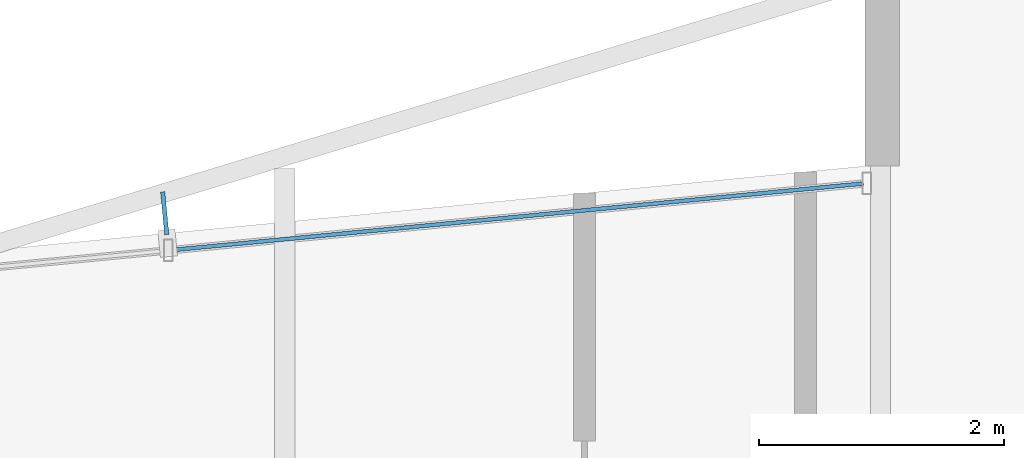
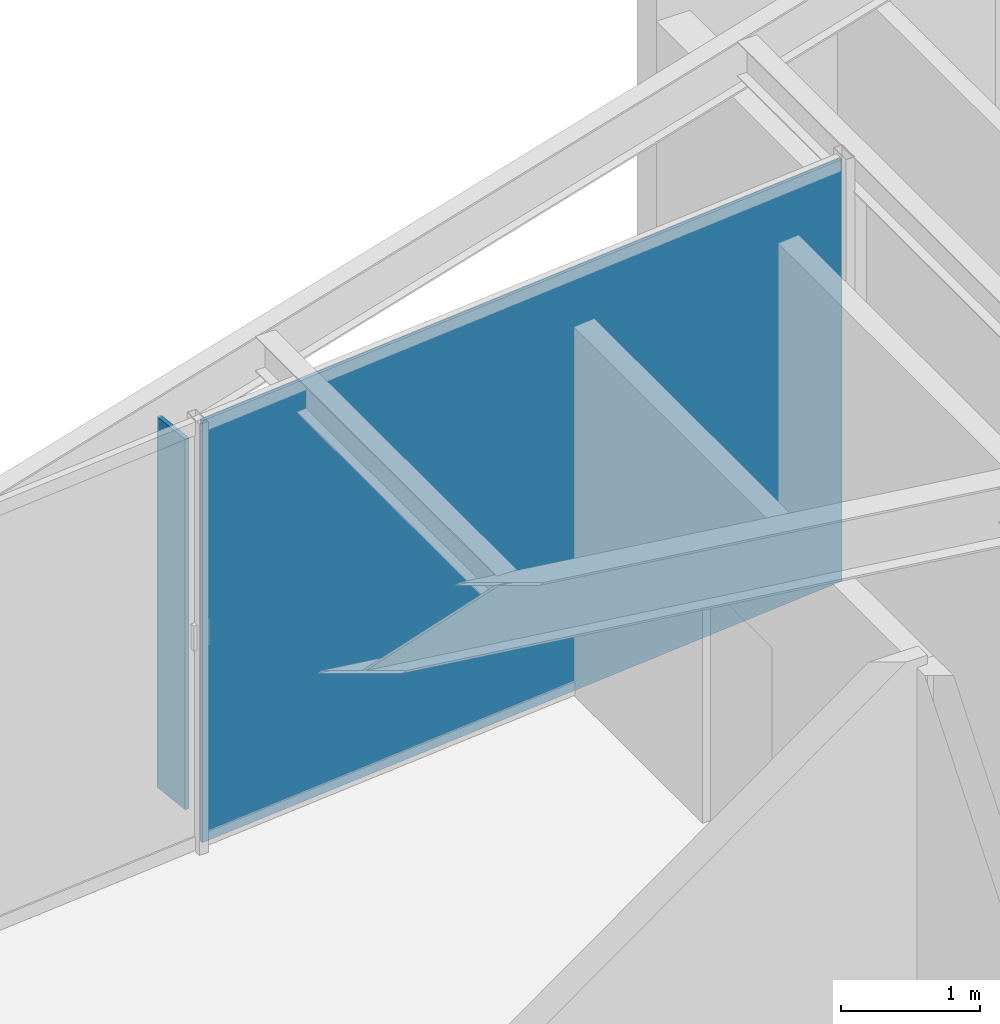
# One storey, part 15 of 21: 2 plates, 1 element without a shape of its own.
"""IFC4 building model written with IfcOpenShell, lengths in metres."""

from ifc_helpers import new_model, si_unit, direction, frame, origin, origin_2d, place, context, subcontext, project, spatial, rectangle, extrude, material, layer, layer_set, type_object, element, aggregate, save


model = new_model("IFC4")

# Units and contexts
model_context = context("Model", 3, precision=1e-05, world=origin(), true_north=direction((0.0, 1.0)))
body_context = subcontext(model_context, "Body", "Model", "MODEL_VIEW")
ifc_project = project(units=[si_unit("LENGTHUNIT", "METRE"), si_unit("AREAUNIT", "SQUARE_METRE"), si_unit("VOLUMEUNIT", "CUBIC_METRE"), si_unit("PLANEANGLEUNIT", "RADIAN"), si_unit("MASSUNIT", "GRAM", prefix="KILO")], contexts=[model_context])

# Site, building, storey
site_placement = place(None, origin())
site = spatial("IfcSite", under=ifc_project, at=site_placement, CompositionType="ELEMENT")
building_placement = place(site_placement, origin())
building = spatial("IfcBuilding", under=site, at=building_placement, Name="Veymaron Broadcast Tower", CompositionType="ELEMENT")
storey_placement = place(building_placement, frame((0.0, 0.0, 240.449951171875)))
storey = spatial("IfcBuildingStorey", under=building, at=storey_placement, Name="L56", CompositionType="ELEMENT", Elevation=240.449951171875)

# Curtain wall, plate
ifc_material_1 = material(Name="Anodised aluminium AA 6063-T6 and laminated low-E dark glass", Category="aluminium")
ifc_layer_1 = layer(ifc_material_1, 0.179931640625)
ifc_layer_set_1 = layer_set([ifc_layer_1], Name="Anodised aluminium AA 6063-T6 and laminated low-E dark glass")
curtain_wall_type = type_object("IfcCurtainWallType", Name="CW-SYS-05", PredefinedType="NOTDEFINED", material=ifc_layer_set_1)
curtain_wall_placement = place(storey_placement, origin())
curtain_wall = element("IfcCurtainWall", 1, at=curtain_wall_placement, inside=storey, type_object=curtain_wall_type, Name="L56 dark-glass curtain wall CW-L56-E13-1", PredefinedType="NOTDEFINED")
ifc_material_2 = material(Name="Double-silver solar-control dark glass IGU 32 mm", Category="glass")
ifc_layer_2 = layer(ifc_material_2, 0.031982421875)
ifc_layer_set_2 = layer_set([ifc_layer_2], Name="Double-silver solar-control dark glass IGU 32 mm")
plate_type_1 = type_object("IfcPlateType", Name="CW-PNL-02", PredefinedType="CURTAIN_PANEL", material=ifc_layer_set_2)
plate_1_placement = place(storey_placement, frame((24.054443359375, 28.76318359375, 0.0400390625), z_axis=(0.0, 0.0, 1.0), x_axis=(-0.995399543409, -0.09581100658, 0.0)))
plate_1 = element("IfcPlate", 2, at=plate_1_placement, type_object=plate_type_1, Name="CW-L56-E13-1 unitised curtain panel 0", PredefinedType="CURTAIN_PANEL", context=body_context, shape_type="SweptSolid", body=[
    extrude(rectangle(XDim=5.660400390625, YDim=0.031982421875, at=origin_2d()), origin(), (0.0, 0.0, 1.0), 3.7099609375),
])
aggregate(curtain_wall, [plate_1])

# Plate
ifc_material_3 = material(Name="Dark-anodised aluminium AA 6061-T6", Category="aluminium")
ifc_layer_3 = layer(ifc_material_3, 0.030029296875)
ifc_layer_set_3 = layer_set([ifc_layer_3], Name="Dark-anodised aluminium AA 6061-T6")
plate_type_2 = type_object("IfcPlateType", Name="FIN-CHEV-02", PredefinedType="USERDEFINED", material=ifc_layer_set_3)
plate_2_placement = place(storey_placement, frame((21.17822265625, 28.79248046875, 0.26513671875), z_axis=(0.0, 0.0, 1.0), x_axis=(-0.09581100658, 0.995399543409, 0.0)))
element("IfcPlate", 3, at=plate_2_placement, inside=storey, type_object=plate_type_2, Name="CW-L56-E13-1 chevron fin 1", ObjectType="FIN", PredefinedType="USERDEFINED", context=body_context, shape_type="SweptSolid", body=[
    extrude(rectangle(XDim=0.35009765625, YDim=0.034912109375, at=origin_2d()), origin(), (0.0, 0.0, 1.0), 3.259521484375),
])

save(model, "model.ifc")
